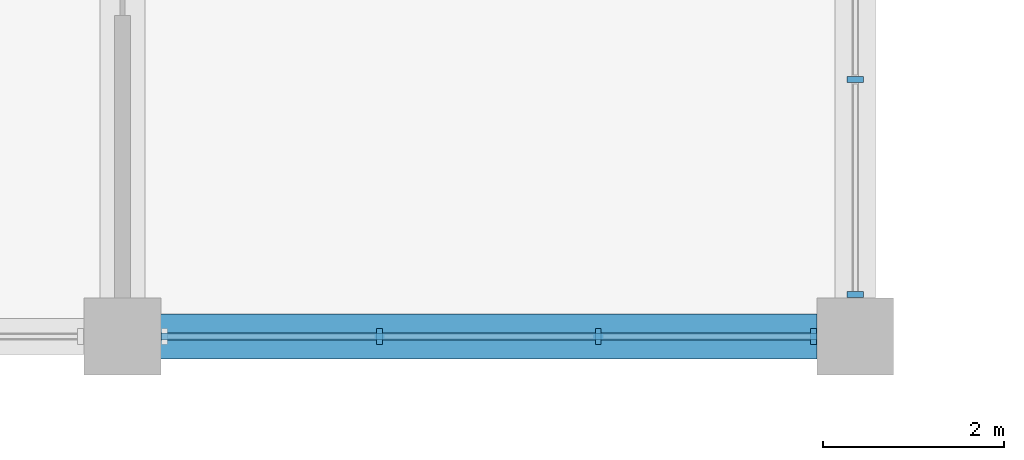
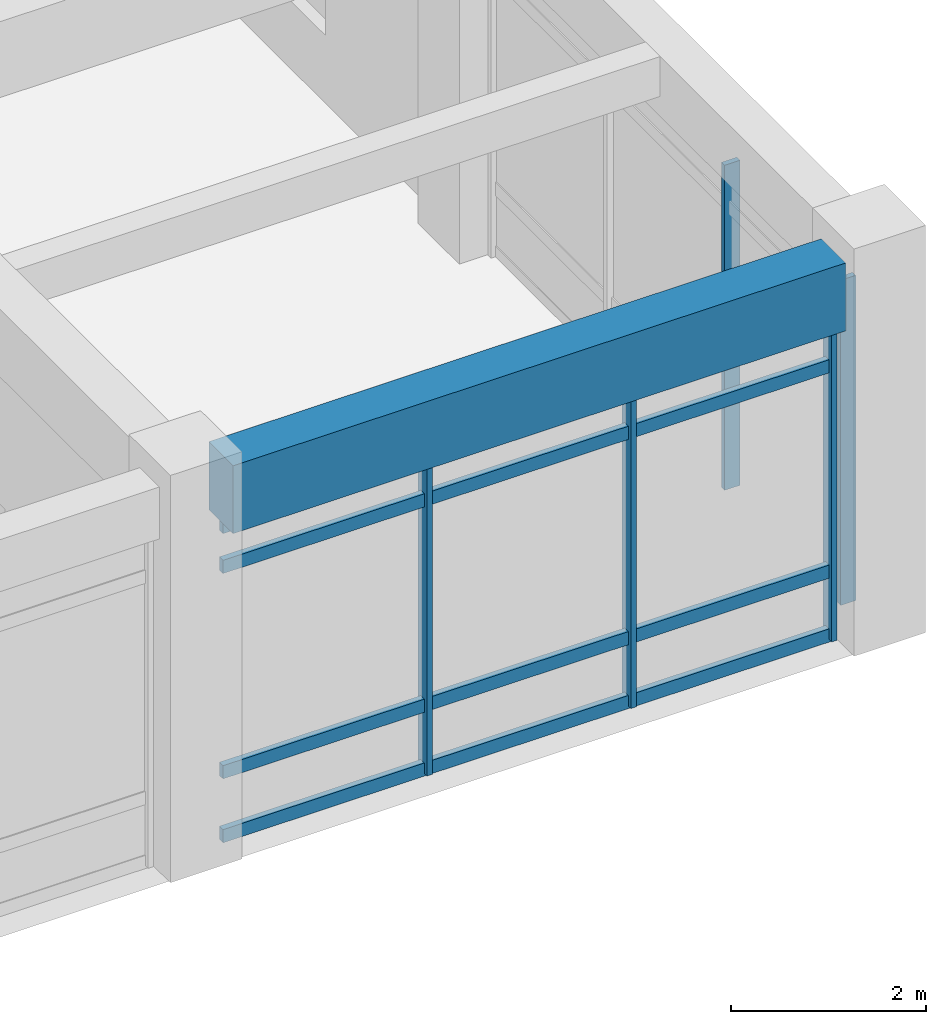
# One storey, part 38 of 99: 9 members, 1 beam, 2 elements without a shape of their own.
"""IFC4 building model written with IfcOpenShell, lengths in metres."""

from ifc_helpers import new_model, si_unit, direction, frame, origin, origin_2d, place, context, subcontext, project, spatial, rectangle, extrude, material, layer, layer_set, material_profile, profile_set, type_object, element, aggregate, save


model = new_model("IFC4")

# Units and contexts
model_context = context("Model", 3, precision=1e-05, world=origin(), true_north=direction((0.0, 1.0)))
body_context = subcontext(model_context, "Body", "Model", "MODEL_VIEW")
ifc_project = project(units=[si_unit("LENGTHUNIT", "METRE"), si_unit("AREAUNIT", "SQUARE_METRE"), si_unit("VOLUMEUNIT", "CUBIC_METRE"), si_unit("PLANEANGLEUNIT", "RADIAN"), si_unit("MASSUNIT", "GRAM", prefix="KILO")], contexts=[model_context])

# Site, building, storey
site_placement = place(None, origin())
site = spatial("IfcSite", under=ifc_project, at=site_placement, CompositionType="ELEMENT")
building_placement = place(site_placement, origin())
building = spatial("IfcBuilding", under=site, at=building_placement, Name="Vaudrelin Polytechnic", CompositionType="ELEMENT")
storey_placement = place(building_placement, origin())
storey = spatial("IfcBuildingStorey", under=building, at=storey_placement, Name="L00", CompositionType="ELEMENT", Elevation=0.0)

# Beam
ifc_material_1 = material(Name="Concrete 40 MPa", Category="concrete")
ifc_material_profile_1 = material_profile(ifc_material_1, rectangle(XDim=0.5, YDim=0.85009765625, at=origin_2d()), Name="RC500x850")
ifc_profile_set_1 = profile_set([ifc_material_profile_1], Name="Concrete 40 MPa")
beam_type = type_object("IfcBeamType", Name="BM-BM-RC5085", PredefinedType="BEAM", material=ifc_profile_set_1)
beam_placement = place(storey_placement, frame((162.4208984375, 16.199951171875, 4.39501953125), z_axis=(1.0, 0.0, 0.0), x_axis=(0.0, 1.0, 0.0)))
element("IfcBeam", 1, at=beam_placement, inside=storey, type_object=beam_type, Name="L00 X-beam 21-3", PredefinedType="BEAM", context=body_context, shape_type="SweptSolid", body=[
    extrude(rectangle(XDim=0.5, YDim=0.85009765625, at=origin_2d()), origin(), (0.0, 0.0, 1.0), 7.258056640625),
])

# Curtain wall, members
ifc_material_2 = material(Name="Thermally broken anodised aluminium AA 6063-T6 and low-e triple glazing", Category="aluminium")
ifc_layer = layer(ifc_material_2, 0.199951171875)
ifc_layer_set = layer_set([ifc_layer], Name="Thermally broken anodised aluminium AA 6063-T6 and low-e triple glazing")
curtain_wall_type = type_object("IfcCurtainWallType", Name="CW-CW-LAB", PredefinedType="USERDEFINED", material=ifc_layer_set)
curtain_wall_1_placement = place(storey_placement, origin())
curtain_wall_1 = element("IfcCurtainWall", 2, at=curtain_wall_1_placement, inside=storey, type_object=curtain_wall_type, Name="Curtain wall L00 E_V4_00", ObjectType="CURTAIN WALL", PredefinedType="USERDEFINED")
ifc_material_3 = material(Name="Anodised aluminium AA 6063-T6", Category="aluminium")
ifc_material_profile_2 = material_profile(ifc_material_3, rectangle(XDim=0.06494140625, YDim=0.179931640625, at=origin_2d()), Name="CWM-65x180")
ifc_profile_set_2 = profile_set([ifc_material_profile_2], Name="Anodised aluminium AA 6063-T6")
member_type_1 = type_object("IfcMemberType", Name="MEM-CWM-180", PredefinedType="MULLION", material=ifc_profile_set_2)
member_1_placement = place(storey_placement, frame((170.10009765625, 16.6630859375, 0.0), z_axis=(0.0, 0.0, 1.0), x_axis=(0.0, 1.0, 0.0)))
member_1 = element("IfcMember", 3, at=member_1_placement, type_object=member_type_1, Name="E_V4_00 mullion 1", PredefinedType="MULLION", context=body_context, shape_type="SweptSolid", body=[
    extrude(rectangle(XDim=0.06494140625, YDim=0.179931640625, at=origin_2d()), origin(), (0.0, 0.0, 1.0), 4.072021484375),
])
member_2_placement = place(storey_placement, frame((170.10009765625, 19.041015625, 0.0), z_axis=(0.0, 0.0, 1.0), x_axis=(0.0, 1.0, 0.0)))
member_2 = element("IfcMember", 4, at=member_2_placement, type_object=member_type_1, Name="E_V4_00 mullion 2", PredefinedType="MULLION", context=body_context, shape_type="SweptSolid", body=[
    extrude(rectangle(XDim=0.06494140625, YDim=0.179931640625, at=origin_2d()), origin(), (0.0, 0.0, 1.0), 4.072021484375),
])
aggregate(curtain_wall_1, [member_1, member_2])

curtain_wall_2_placement = place(storey_placement, origin())
curtain_wall_2 = element("IfcCurtainWall", 5, at=curtain_wall_2_placement, inside=storey, type_object=curtain_wall_type, Name="Curtain wall L00 S_V4_04", ObjectType="CURTAIN WALL", PredefinedType="USERDEFINED")
member_3_placement = place(storey_placement, frame((164.841064453125, 16.199951171875, 0.0), z_axis=(0.0, 0.0, 1.0), x_axis=(1.0, 0.0, 0.0)))
member_3 = element("IfcMember", 6, at=member_3_placement, type_object=member_type_1, Name="S_V4_04 mullion 2", PredefinedType="MULLION", context=body_context, shape_type="SweptSolid", body=[
    extrude(rectangle(XDim=0.06494140625, YDim=0.179931640625, at=origin_2d()), origin(), (0.0, 0.0, 1.0), 3.971923828125),
])
member_4_placement = place(storey_placement, frame((167.259033203125, 16.199951171875, 0.0), z_axis=(0.0, 0.0, 1.0), x_axis=(1.0, 0.0, 0.0)))
member_4 = element("IfcMember", 7, at=member_4_placement, type_object=member_type_1, Name="S_V4_04 mullion 3", PredefinedType="MULLION", context=body_context, shape_type="SweptSolid", body=[
    extrude(rectangle(XDim=0.06494140625, YDim=0.179931640625, at=origin_2d()), origin(), (0.0, 0.0, 1.0), 3.971923828125),
])
member_5_placement = place(storey_placement, frame((169.636962890625, 16.199951171875, 0.0), z_axis=(0.0, 0.0, 1.0), x_axis=(1.0, 0.0, 0.0)))
member_5 = element("IfcMember", 8, at=member_5_placement, type_object=member_type_1, Name="S_V4_04 mullion 4", PredefinedType="MULLION", context=body_context, shape_type="SweptSolid", body=[
    extrude(rectangle(XDim=0.06494140625, YDim=0.179931640625, at=origin_2d()), origin(), (0.0, 0.0, 1.0), 3.971923828125),
])
ifc_material_profile_3 = material_profile(ifc_material_3, rectangle(XDim=0.074951171875, YDim=0.1650390625, at=origin_2d()), Name="CWT-75x165")
ifc_profile_set_3 = profile_set([ifc_material_profile_3], Name="Anodised aluminium AA 6063-T6")
member_type_2 = type_object("IfcMemberType", Name="MEM-CWT-165", PredefinedType="USERDEFINED", material=ifc_profile_set_3)
member_6_placement = place(storey_placement, frame((162.423095703125, 16.199951171875, 0.050048828125), z_axis=(1.0, 0.0, 0.0), x_axis=(0.0, 1.0, 0.0)))
member_6 = element("IfcMember", 9, at=member_6_placement, type_object=member_type_2, Name="S_V4_04 transom 1", ObjectType="TRANSOM", PredefinedType="USERDEFINED", context=body_context, shape_type="SweptSolid", body=[
    extrude(rectangle(XDim=0.074951171875, YDim=0.1650390625, at=origin_2d()), origin(), (0.0, 0.0, 1.0), 7.25390625),
])
member_7_placement = place(storey_placement, frame((162.423095703125, 16.199951171875, 0.85009765625), z_axis=(1.0, 0.0, 0.0), x_axis=(0.0, 1.0, 0.0)))
member_7 = element("IfcMember", 10, at=member_7_placement, type_object=member_type_2, Name="S_V4_04 transom 2", ObjectType="TRANSOM", PredefinedType="USERDEFINED", context=body_context, shape_type="SweptSolid", body=[
    extrude(rectangle(XDim=0.074951171875, YDim=0.1650390625, at=origin_2d()), origin(), (0.0, 0.0, 1.0), 7.25390625),
])
member_8_placement = place(storey_placement, frame((162.423095703125, 16.199951171875, 3.422119140625), z_axis=(1.0, 0.0, 0.0), x_axis=(0.0, 1.0, 0.0)))
member_8 = element("IfcMember", 11, at=member_8_placement, type_object=member_type_2, Name="S_V4_04 transom 3", ObjectType="TRANSOM", PredefinedType="USERDEFINED", context=body_context, shape_type="SweptSolid", body=[
    extrude(rectangle(XDim=0.074951171875, YDim=0.1650390625, at=origin_2d()), origin(), (0.0, 0.0, 1.0), 7.25390625),
])
member_9_placement = place(storey_placement, frame((162.423095703125, 16.199951171875, 3.922119140625), z_axis=(1.0, 0.0, 0.0), x_axis=(0.0, 1.0, 0.0)))
member_9 = element("IfcMember", 12, at=member_9_placement, type_object=member_type_2, Name="S_V4_04 transom 4", ObjectType="TRANSOM", PredefinedType="USERDEFINED", context=body_context, shape_type="SweptSolid", body=[
    extrude(rectangle(XDim=0.074951171875, YDim=0.1650390625, at=origin_2d()), origin(), (0.0, 0.0, 1.0), 7.25390625),
])
aggregate(curtain_wall_2, [member_3, member_4, member_5, member_6, member_7, member_8, member_9])

save(model, "model.ifc")
